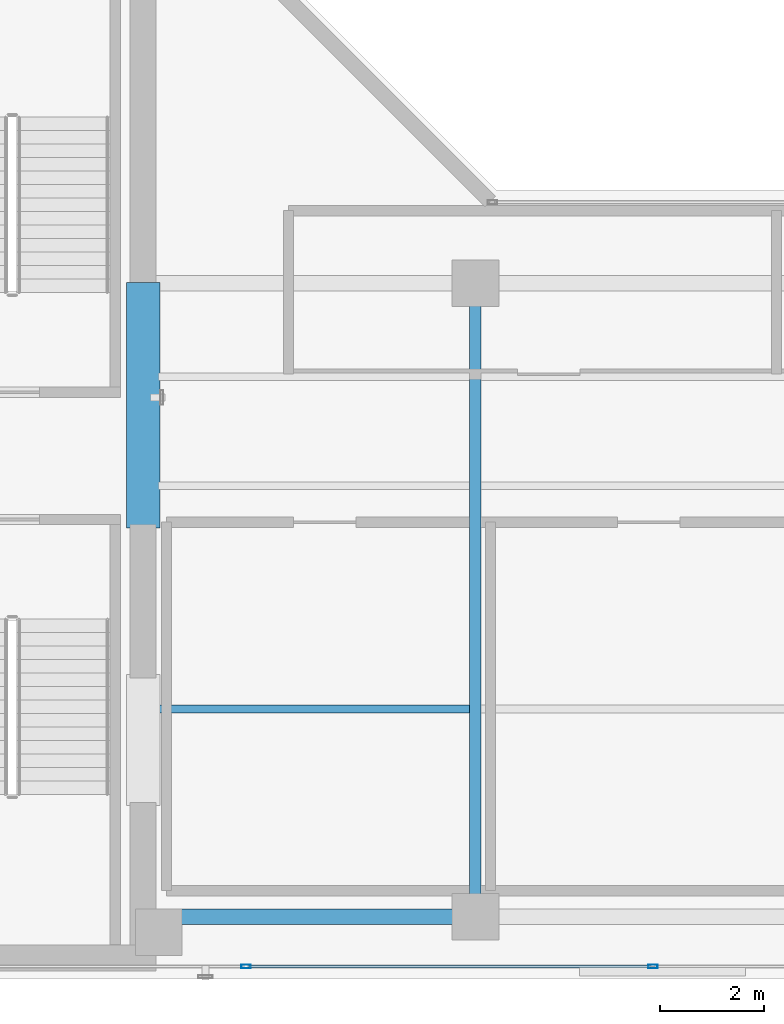
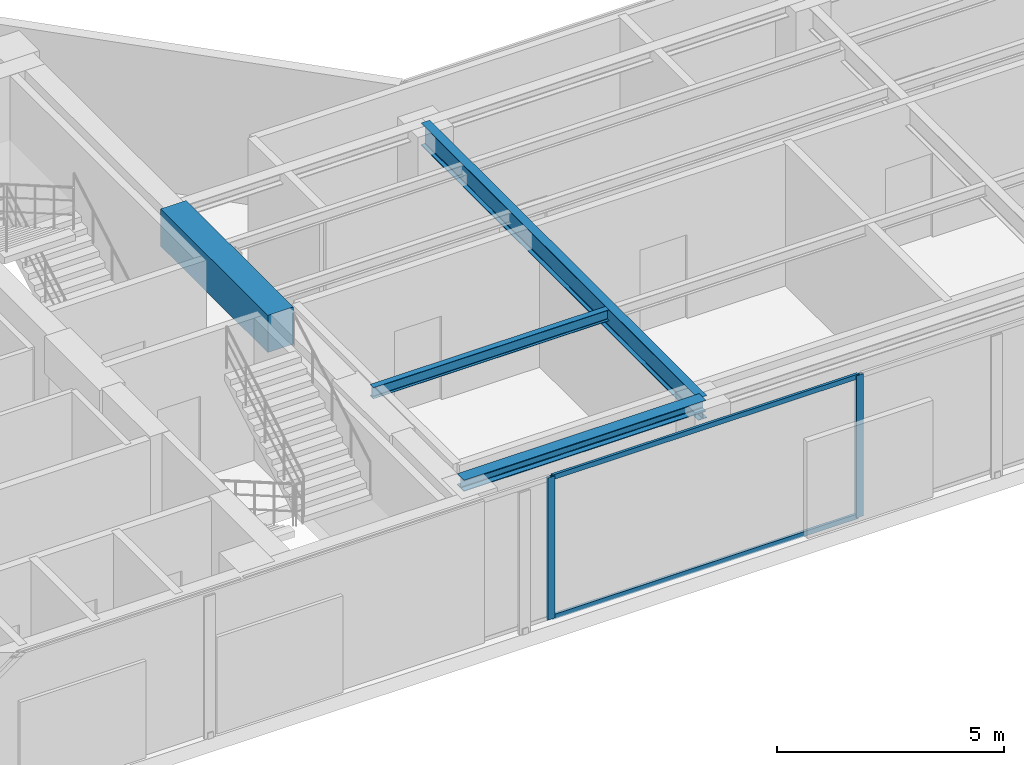
# One storey, part 5 of 24: 4 beams, 4 members, 1 element without a shape of its own.
"""IFC4 building model written with IfcOpenShell, lengths in metres."""

from ifc_helpers import new_model, si_unit, direction, frame, origin, origin_with_axes, origin_2d, place, context, subcontext, project, spatial, rectangle, hollow_rectangle, i_section, extrude, source, transform, mapped, material, layer, layer_set, material_profile, profile_set, type_object, element, aggregate, save


model = new_model("IFC4")

# Units and contexts
model_context = context("Model", 3, precision=1e-05, world=origin(), true_north=direction((0.0, 1.0)))
body_context = subcontext(model_context, "Body", "Model", "MODEL_VIEW")
ifc_project = project(units=[si_unit("LENGTHUNIT", "METRE"), si_unit("AREAUNIT", "SQUARE_METRE"), si_unit("VOLUMEUNIT", "CUBIC_METRE"), si_unit("PLANEANGLEUNIT", "RADIAN"), si_unit("MASSUNIT", "GRAM", prefix="KILO")], contexts=[model_context])

# Site, building, storey
site_placement = place(None, origin())
site = spatial("IfcSite", under=ifc_project, at=site_placement, CompositionType="ELEMENT")
building_placement = place(site_placement, origin())
building = spatial("IfcBuilding", under=site, at=building_placement, Name="Kolvaren Waterfront Exchange", CompositionType="ELEMENT")
storey_placement = place(building_placement, frame((0.0, 0.0, 356.199951171875)))
storey = spatial("IfcBuildingStorey", under=building, at=storey_placement, Name="L91", CompositionType="ELEMENT", Elevation=356.199951171875)

# Beams
ifc_material_1 = material(Name="Steel S355", Category="steel")
ifc_material_profile_1 = material_profile(ifc_material_1, i_section(OverallWidth=0.300048828125, OverallDepth=0.300048828125, WebThickness=0.010986328125, FlangeThickness=0.01904296875, FilletRadius=0.027099609375, at=origin_2d()), Name="HEB300")
ifc_profile_set_1 = profile_set([ifc_material_profile_1], Name="Steel S355")
beam_type_1 = type_object("IfcBeamType", Name="STR-BM-HEB300", PredefinedType="SPANDREL", material=ifc_profile_set_1)
beam_1_placement = place(storey_placement, frame((21.050048828125, 5.199951171875, 3.670166015625), z_axis=(1.0, 0.0, 0.0), x_axis=(0.0, 1.0, 0.0)))
element("IfcBeam", 1, at=beam_1_placement, inside=storey, type_object=beam_type_1, Name="L91 east-arm spandrel S1", PredefinedType="SPANDREL", context=body_context, shape_type="SweptSolid", body=[
    extrude(i_section(OverallWidth=0.300048828125, OverallDepth=0.300048828125, WebThickness=0.010986328125, FlangeThickness=0.01904296875, FilletRadius=0.027099609375, at=origin_2d()), origin(), (0.0, 0.0, 1.0), 6.14990234375),
])
ifc_material_profile_2 = material_profile(ifc_material_1, i_section(OverallWidth=0.14990234375, OverallDepth=0.300048828125, WebThickness=0.007080078125, FlangeThickness=0.0107421875, FilletRadius=0.014892578125, at=origin_2d()), Name="IPE300")
ifc_profile_set_2 = profile_set([ifc_material_profile_2], Name="Steel S355")
beam_type_2 = type_object("IfcBeamType", Name="STR-BM-IPE300", PredefinedType="JOIST", material=ifc_profile_set_2)
beam_2_placement = place(storey_placement, frame((21.10009765625, 9.199951171875, 3.670166015625), z_axis=(1.0, 0.0, 0.0), x_axis=(0.0, 1.0, 0.0)))
element("IfcBeam", 2, at=beam_2_placement, inside=storey, type_object=beam_type_2, Name="L91 east-arm composite joist 1B", PredefinedType="JOIST", context=body_context, shape_type="SweptSolid", body=[
    extrude(i_section(OverallWidth=0.14990234375, OverallDepth=0.300048828125, WebThickness=0.007080078125, FlangeThickness=0.0107421875, FilletRadius=0.014892578125, at=origin_2d()), origin(), (0.0, 0.0, 1.0), 5.98779296875),
])
ifc_material_profile_3 = material_profile(ifc_material_1, i_section(OverallWidth=0.219970703125, OverallDepth=0.60009765625, WebThickness=0.011962890625, FlangeThickness=0.01904296875, FilletRadius=0.02392578125, at=origin_2d()), Name="IPE600")
ifc_profile_set_3 = profile_set([ifc_material_profile_3], Name="Steel S355")
beam_type_3 = type_object("IfcBeamType", Name="STR-BM-IPE600", PredefinedType="BEAM", material=ifc_profile_set_3)
beam_3_placement = place(storey_placement, frame((27.199951171875, 5.199951171875, 3.52001953125), z_axis=(0.0, 1.0, 0.0), x_axis=(-1.0, 0.0, 0.0)))
element("IfcBeam", 3, at=beam_3_placement, inside=storey, type_object=beam_type_3, Name="L91 east-arm transverse girder X27", PredefinedType="BEAM", context=body_context, shape_type="SweptSolid", body=[
    extrude(i_section(OverallWidth=0.219970703125, OverallDepth=0.60009765625, WebThickness=0.011962890625, FlangeThickness=0.01904296875, FilletRadius=0.02392578125, at=origin_2d()), origin(), (0.0, 0.0, 1.0), 12.199951171875),
])
ifc_material_2 = material(Name="Concrete C60/75", Category="concrete")
ifc_material_profile_4 = material_profile(ifc_material_2, rectangle(XDim=0.64990234375, YDim=1.0, at=origin_2d()), Name="RC-CB-1000x650")
ifc_profile_set_4 = profile_set([ifc_material_profile_4], Name="Concrete C60/75")
beam_type_4 = type_object("IfcBeamType", Name="STR-CB-1000", PredefinedType="SPANDREL", material=ifc_profile_set_4)
beam_4_placement = place(storey_placement, frame((20.800048828125, 12.68994140625, 3.320068359375), z_axis=(0.0, 1.0, 0.0), x_axis=(-1.0, 0.0, 0.0)))
element("IfcBeam", 4, at=beam_4_placement, inside=storey, type_object=beam_type_4, Name="L91 core coupling beam 2", PredefinedType="SPANDREL", context=body_context, shape_type="SweptSolid", body=[
    extrude(rectangle(XDim=0.64990234375, YDim=1.0, at=origin_2d()), origin(), (0.0, 0.0, 1.0), 4.719970703125),
])

# Curtain wall, members
ifc_material_3 = material(Name="Anodised dark bronze spandrel aluminium", Category="aluminium")
ifc_layer = layer(ifc_material_3, 0.219970703125, Name="Anodised dark bronze spandrel aluminium")
ifc_layer_set = layer_set([ifc_layer], Name="Anodised dark bronze spandrel aluminium")
curtain_wall_type = type_object("IfcCurtainWallType", Name="ARC-CW-SYS6", PredefinedType="USERDEFINED", material=ifc_layer_set)
curtain_wall_placement = place(storey_placement, origin())
curtain_wall = element("IfcCurtainWall", 5, at=curtain_wall_placement, inside=storey, type_object=curtain_wall_type, Name="L91 stick curtain wall CW6 (CW-L91-S)", ObjectType="STICK CURTAIN WALL", PredefinedType="USERDEFINED")
ifc_material_4 = material(Name="Anodised bronze aluminium 6063-T6", Category="aluminium")
ifc_material_profile_5 = material_profile(ifc_material_4, hollow_rectangle(XDim=0.074951171875, YDim=0.179931640625, WallThickness=0.00439453125, at=origin_2d()), Name="ALU-MUL-180x75x4.5")
ifc_profile_set_5 = profile_set([ifc_material_profile_5], Name="Anodised bronze aluminium 6063-T6")
member_type_1 = type_object("IfcMemberType", Name="ARC-CWM-180", PredefinedType="MULLION", material=ifc_profile_set_5)
shared_shape_1 = source(origin_with_axes(), body_context, "Body", "SweptSolid", [
    extrude(hollow_rectangle(XDim=0.074951171875, YDim=0.179931640625, WallThickness=0.00439453125, at=origin_2d()), origin(), (0.0, 0.0, 1.0), 3.820068359375),
])
member_1_placement = place(storey_placement, frame((22.780029296875, 4.239990234375, 0.0), z_axis=(0.0, 0.0, 1.0), x_axis=(0.0, 1.0, 0.0)))
member_1 = element("IfcMember", 6, at=member_1_placement, type_object=member_type_1, Name="CW6 mullion 3", PredefinedType="MULLION", context=body_context, shape_type="MappedRepresentation", body=[
    mapped(shared_shape_1, transform((0.0, 0.0, 0.0), x_axis=(1.0, 0.0, 0.0), y_axis=(0.0, 1.0, 0.0), z_axis=(0.0, 0.0, 1.0), scale=1.0)),
])
member_2_placement = place(storey_placement, frame((30.6201171875, 4.239990234375, 0.0), z_axis=(0.0, 0.0, 1.0), x_axis=(0.0, 1.0, 0.0)))
member_2 = element("IfcMember", 7, at=member_2_placement, type_object=member_type_1, Name="CW6 mullion 4", PredefinedType="MULLION", context=body_context, shape_type="MappedRepresentation", body=[
    mapped(shared_shape_1, transform((0.0, 0.0, 0.0), x_axis=(1.0, 0.0, 0.0), y_axis=(0.0, 1.0, 0.0), z_axis=(0.0, 0.0, 1.0), scale=1.0)),
])
ifc_material_profile_6 = material_profile(ifc_material_4, hollow_rectangle(XDim=0.06494140625, YDim=0.1298828125, WallThickness=0.00390625, at=origin_2d()), Name="ALU-TRN-130x65x4")
ifc_profile_set_6 = profile_set([ifc_material_profile_6], Name="Anodised bronze aluminium 6063-T6")
member_type_2 = type_object("IfcMemberType", Name="ARC-CWT-130", PredefinedType="USERDEFINED", material=ifc_profile_set_6)
shared_shape_2 = source(origin_with_axes(), body_context, "Body", "SweptSolid", [
    extrude(hollow_rectangle(XDim=0.06494140625, YDim=0.1298828125, WallThickness=0.00390625, at=origin_2d()), origin(), (0.0, 0.0, 1.0), 7.76513671875),
])
member_3_placement = place(storey_placement, frame((22.8173828125, 4.239990234375, 0.032470703125), z_axis=(1.0, 0.0, 0.0), x_axis=(0.0, 1.0, 0.0)))
member_3 = element("IfcMember", 8, at=member_3_placement, type_object=member_type_2, Name="CW6 transom 3.1", ObjectType="TRANSOM", PredefinedType="USERDEFINED", context=body_context, shape_type="MappedRepresentation", body=[
    mapped(shared_shape_2, transform((0.0, 0.0, 0.0), x_axis=(1.0, 0.0, 0.0), y_axis=(0.0, 1.0, 0.0), z_axis=(0.0, 0.0, 1.0), scale=1.0)),
])
member_4_placement = place(storey_placement, frame((22.8173828125, 4.239990234375, 3.78759765625), z_axis=(1.0, 0.0, 0.0), x_axis=(0.0, 1.0, 0.0)))
member_4 = element("IfcMember", 9, at=member_4_placement, type_object=member_type_2, Name="CW6 transom 3.2", ObjectType="TRANSOM", PredefinedType="USERDEFINED", context=body_context, shape_type="MappedRepresentation", body=[
    mapped(shared_shape_2, transform((0.0, 0.0, 0.0), x_axis=(1.0, 0.0, 0.0), y_axis=(0.0, 1.0, 0.0), z_axis=(0.0, 0.0, 1.0), scale=1.0)),
])
aggregate(curtain_wall, [member_1, member_2, member_3, member_4])

save(model, "model.ifc")
